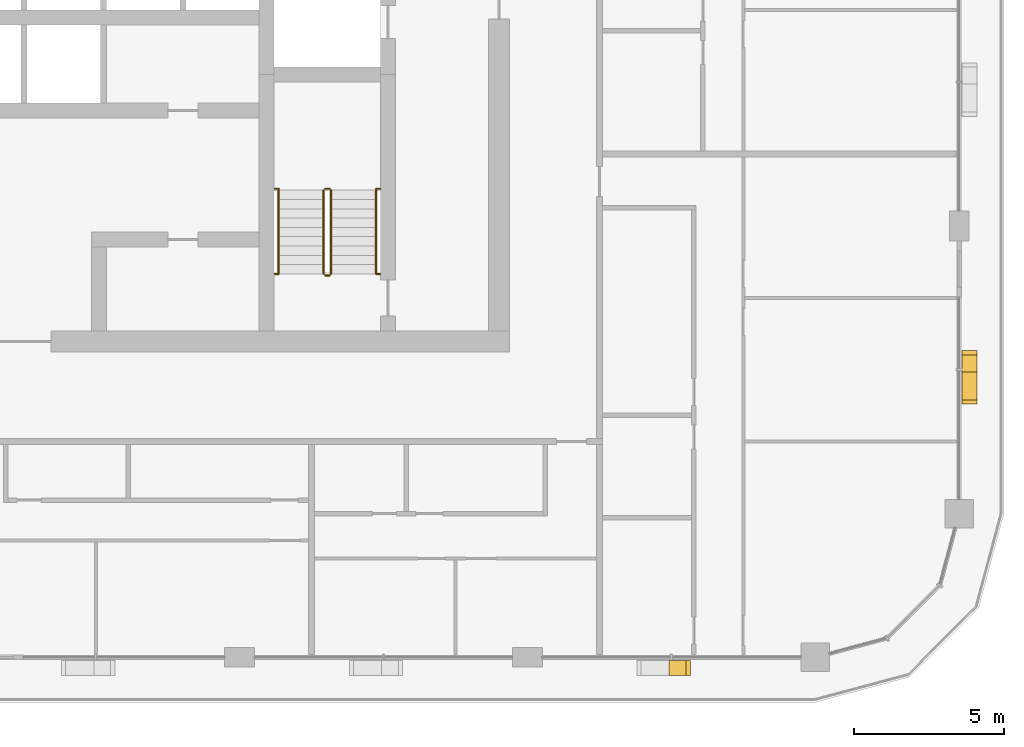
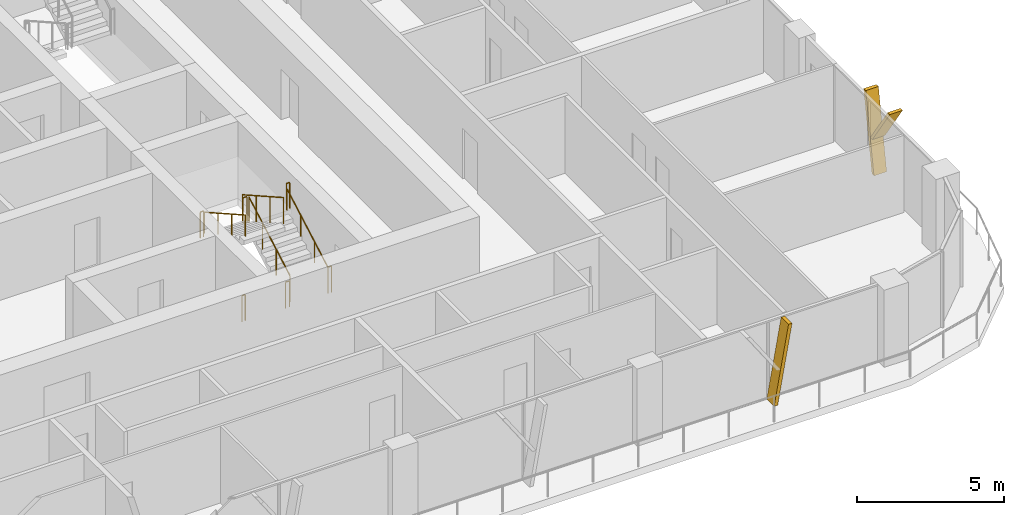
# One storey, part 19 of 22: 10 railings, 3 shading devices.
"""IFC4 building model written with IfcOpenShell, lengths in metres."""

from ifc_helpers import new_model, si_unit, direction, frame, origin, origin_2d, place, context, subcontext, project, spatial, polyline, circle, outline, extrude, material, type_object, element, save


model = new_model("IFC4")

# Units and contexts
model_context = context("Model", 3, precision=1e-05, world=origin(), true_north=direction((0.0, 1.0)))
body_context = subcontext(model_context, "Body", "Model", "MODEL_VIEW")
ifc_project = project(units=[si_unit("LENGTHUNIT", "METRE"), si_unit("AREAUNIT", "SQUARE_METRE"), si_unit("VOLUMEUNIT", "CUBIC_METRE"), si_unit("PLANEANGLEUNIT", "RADIAN"), si_unit("MASSUNIT", "GRAM", prefix="KILO")], contexts=[model_context])

# Site, building, storey
site_placement = place(None, origin())
site = spatial("IfcSite", under=ifc_project, at=site_placement, CompositionType="ELEMENT")
building_placement = place(site_placement, origin())
building = spatial("IfcBuilding", under=site, at=building_placement, Name="Madar Terraces", CompositionType="ELEMENT")
storey_placement = place(building_placement, frame((0.0, 0.0, 208.800048828125)))
storey = spatial("IfcBuildingStorey", under=building, at=storey_placement, Name="L54", CompositionType="ELEMENT", Elevation=208.800048828125)

# Shading devices
ifc_material_1 = material(Name="Aluminium, black anodised", Category="aluminium")
shading_device_type = type_object("IfcShadingDeviceType", Name="Facade fin blade 140 x 500", PredefinedType="USERDEFINED", material=ifc_material_1)
shading_device_1_placement = place(storey_placement, frame((52.72998046875, 4.449951171875, 0.0), z_axis=(0.0, 0.0, 1.0), x_axis=(1.0, 0.0, 0.0)))
element("IfcShadingDevice", 1, at=shading_device_1_placement, inside=storey, type_object=shading_device_type, Name="FIN L54 S5", ObjectType="FIN", PredefinedType="USERDEFINED", context=body_context, shape_type="SweptSolid", body=[
    extrude(outline(polyline([(0.0, 0.0), (0.14013671875, 0.0), (0.704345703125, 3.199951171875), (0.564208984375, 3.199951171875), (0.0, 0.0)])), frame((0.0, 0.25, 0.0), z_axis=(0.0, -1.0, 0.0), x_axis=(1.0, 0.0, 0.0)), (0.0, 0.0, 1.0), 0.5),
])
shading_device_2_placement = place(storey_placement, frame((62.75, 14.330078125, 0.0), z_axis=(0.0, 0.0, 1.0), x_axis=(0.0, 1.0, 0.0)))
element("IfcShadingDevice", 2, at=shading_device_2_placement, inside=storey, type_object=shading_device_type, Name="FIN L54 E1", ObjectType="FIN", PredefinedType="USERDEFINED", context=body_context, shape_type="SweptSolid", body=[
    extrude(outline(polyline([(0.0, 0.0), (0.139892578125, 0.0), (0.704345703125, 3.199951171875), (0.564208984375, 3.199951171875), (0.0, 0.0)])), frame((0.0, 0.25, 0.0), z_axis=(0.0, -1.0, 0.0), x_axis=(1.0, 0.0, 0.0)), (0.0, 0.0, 1.0), 0.5),
])
shading_device_3_placement = place(storey_placement, frame((62.75, 14.44384765625, 1.43994140625), z_axis=(0.0, 0.0, 1.0), x_axis=(0.0, 1.0, 0.0)))
element("IfcShadingDevice", 3, at=shading_device_3_placement, inside=storey, type_object=shading_device_type, Name="FIN L54 E1 branch", ObjectType="FIN", PredefinedType="USERDEFINED", context=body_context, shape_type="SweptSolid", body=[
    extrude(outline(polyline([(0.0, 0.0), (0.14013671875, 0.0), (-1.049560546875, 1.760009765625), (-1.189697265625, 1.760009765625), (0.0, 0.0)])), frame((0.0, 0.25, 0.0), z_axis=(0.0, -1.0, 0.0), x_axis=(1.0, 0.0, 0.0)), (0.0, 0.0, 1.0), 0.5),
])

# Railings
ifc_material_2 = material(Name="Stainless steel railing", Category="steel")
railing_type_1 = type_object("IfcRailingType", Name="Stair guard 1100", PredefinedType="GUARDRAIL", material=ifc_material_2)
railing_1_placement = place(storey_placement, frame((41.449951171875, 17.60009765625, 0.175048828125)))
element("IfcRailing", 4, at=railing_1_placement, inside=storey, type_object=railing_type_1, Name="L54 ST3 stair guard 1", PredefinedType="GUARDRAIL", context=body_context, shape_type="SweptSolid", body=[
    extrude(circle(Radius=0.02392578125, at=origin_2d()), frame((0.0, 0.0, 1.076171875), z_axis=(0.0, 0.870815363784, 0.491610213684), x_axis=(-1.0, 0.0, 0.0)), (0.0, 0.0, 1.0), 3.20361328125),
    extrude(circle(Radius=0.02099609375, at=origin_2d()), origin(), (0.0, 0.0, 1.0), 1.052001953125),
    extrude(circle(Radius=0.02099609375, at=origin_2d()), frame((0.0, 0.929931640625, 0.52490234375)), (0.0, 0.0, 1.0), 1.052001953125),
    extrude(circle(Radius=0.02099609375, at=origin_2d()), frame((0.0, 1.85986328125, 1.050048828125)), (0.0, 0.0, 1.0), 1.052001953125),
    extrude(circle(Radius=0.02099609375, at=origin_2d()), frame((0.0, 2.789794921875, 1.574951171875)), (0.0, 0.0, 1.0), 1.052001953125),
])
railing_2_placement = place(storey_placement, frame((41.39990234375, 20.43994140625, 1.75)))
element("IfcRailing", 5, at=railing_2_placement, inside=storey, type_object=railing_type_1, Name="L54 ST3 stair guard 2", PredefinedType="GUARDRAIL", context=body_context, shape_type="SweptSolid", body=[
    extrude(circle(Radius=0.02392578125, at=origin_2d()), frame((0.0, 0.0, 1.076171875), z_axis=(-1.0, 0.0, 0.0), x_axis=(0.0, -1.0, 0.0)), (0.0, 0.0, 1.0), 0.14990234375),
    extrude(circle(Radius=0.02099609375, at=origin_2d()), origin(), (0.0, 0.0, 1.0), 1.052001953125),
    extrude(circle(Radius=0.02099609375, at=origin_2d()), frame((-0.14990234375, 0.0, 0.0)), (0.0, 0.0, 1.0), 1.052001953125),
])
railing_3_placement = place(storey_placement, frame((41.199951171875, 20.389892578125, 1.925048828125)))
element("IfcRailing", 6, at=railing_3_placement, inside=storey, type_object=railing_type_1, Name="L54 ST3 stair guard 3", PredefinedType="GUARDRAIL", context=body_context, shape_type="SweptSolid", body=[
    extrude(circle(Radius=0.02392578125, at=origin_2d()), frame((0.0, 0.0, 1.076171875), z_axis=(0.0, -0.870815363784, 0.491610213684), x_axis=(1.0, 0.0, 0.0)), (0.0, 0.0, 1.0), 3.20361328125),
    extrude(circle(Radius=0.02099609375, at=origin_2d()), origin(), (0.0, 0.0, 1.0), 1.052001953125),
    extrude(circle(Radius=0.02099609375, at=origin_2d()), frame((0.0, -0.929931640625, 0.52490234375)), (0.0, 0.0, 1.0), 1.052001953125),
    extrude(circle(Radius=0.02099609375, at=origin_2d()), frame((0.0, -1.85986328125, 1.050048828125)), (0.0, 0.0, 1.0), 1.052001953125),
    extrude(circle(Radius=0.02099609375, at=origin_2d()), frame((0.0, -2.789794921875, 1.574951171875)), (0.0, 0.0, 1.0), 1.052001953125),
])
railing_4_placement = place(storey_placement, frame((41.39990234375, 17.550048828125, 0.0)))
element("IfcRailing", 7, at=railing_4_placement, inside=storey, type_object=railing_type_1, Name="L54 ST3 stair guard 4", PredefinedType="GUARDRAIL", context=body_context, shape_type="SweptSolid", body=[
    extrude(circle(Radius=0.02392578125, at=origin_2d()), frame((0.0, 0.0, 1.076171875), z_axis=(-1.0, 0.0, 0.0), x_axis=(0.0, -1.0, 0.0)), (0.0, 0.0, 1.0), 0.14990234375),
    extrude(circle(Radius=0.02099609375, at=origin_2d()), origin(), (0.0, 0.0, 1.0), 1.052001953125),
    extrude(circle(Radius=0.02099609375, at=origin_2d()), frame((-0.14990234375, 0.0, 0.0)), (0.0, 0.0, 1.0), 1.052001953125),
])
railing_5_placement = place(storey_placement, frame((39.570068359375, 20.43994140625, 1.75)))
element("IfcRailing", 8, at=railing_5_placement, inside=storey, type_object=railing_type_1, Name="L54 stair guard seat 1", PredefinedType="GUARDRAIL", context=body_context, shape_type="SweptSolid", body=[
    extrude(circle(Radius=0.02392578125, at=origin_2d()), frame((0.0, 0.0, 1.076171875), z_axis=(1.0, 0.0, 0.0), x_axis=(0.0, 1.0, 0.0)), (0.0, 0.0, 1.0), 0.1298828125),
    extrude(circle(Radius=0.02099609375, at=origin_2d()), origin(), (0.0, 0.0, 1.0), 1.052001953125),
    extrude(circle(Radius=0.02099609375, at=origin_2d()), frame((0.1298828125, 0.0, 0.0)), (0.0, 0.0, 1.0), 1.052001953125),
])
railing_6_placement = place(storey_placement, frame((42.949951171875, 20.43994140625, 1.75)))
element("IfcRailing", 9, at=railing_6_placement, inside=storey, type_object=railing_type_1, Name="L54 stair guard seat 2", PredefinedType="GUARDRAIL", context=body_context, shape_type="SweptSolid", body=[
    extrude(circle(Radius=0.02392578125, at=origin_2d()), frame((0.0, 0.0, 1.076171875), z_axis=(1.0, 0.0, 0.0), x_axis=(0.0, 1.0, 0.0)), (0.0, 0.0, 1.0), 0.130126953125),
    extrude(circle(Radius=0.02099609375, at=origin_2d()), origin(), (0.0, 0.0, 1.0), 1.052001953125),
    extrude(circle(Radius=0.02099609375, at=origin_2d()), frame((0.130126953125, 0.0, 0.0)), (0.0, 0.0, 1.0), 1.052001953125),
])
railing_7_placement = place(storey_placement, frame((39.570068359375, 17.60009765625, 0.0)))
element("IfcRailing", 10, at=railing_7_placement, inside=storey, type_object=railing_type_1, Name="L54 stair guard floor 1", PredefinedType="GUARDRAIL", context=body_context, shape_type="SweptSolid", body=[
    extrude(circle(Radius=0.02392578125, at=origin_2d()), frame((0.0, 0.0, 1.076171875), z_axis=(1.0, 0.0, 0.0), x_axis=(0.0, 1.0, 0.0)), (0.0, 0.0, 1.0), 0.1298828125),
    extrude(circle(Radius=0.02099609375, at=origin_2d()), origin(), (0.0, 0.0, 1.0), 1.052001953125),
    extrude(circle(Radius=0.02099609375, at=origin_2d()), frame((0.1298828125, 0.0, 0.0)), (0.0, 0.0, 1.0), 1.052001953125),
])
railing_8_placement = place(storey_placement, frame((42.949951171875, 17.60009765625, 0.0)))
element("IfcRailing", 11, at=railing_8_placement, inside=storey, type_object=railing_type_1, Name="L54 stair guard floor 2", PredefinedType="GUARDRAIL", context=body_context, shape_type="SweptSolid", body=[
    extrude(circle(Radius=0.02392578125, at=origin_2d()), frame((0.0, 0.0, 1.076171875), z_axis=(1.0, 0.0, 0.0), x_axis=(0.0, 1.0, 0.0)), (0.0, 0.0, 1.0), 0.130126953125),
    extrude(circle(Radius=0.02099609375, at=origin_2d()), origin(), (0.0, 0.0, 1.0), 1.052001953125),
    extrude(circle(Radius=0.02099609375, at=origin_2d()), frame((0.130126953125, 0.0, 0.0)), (0.0, 0.0, 1.0), 1.052001953125),
])
ifc_material_3 = material(Name="Stainless steel railing", Category="steel")
railing_type_2 = type_object("IfcRailingType", Name="Stair handrail 900", PredefinedType="HANDRAIL", material=ifc_material_3)
railing_9_placement = place(storey_placement, frame((42.949951171875, 17.60009765625, 0.175048828125)))
element("IfcRailing", 12, at=railing_9_placement, inside=storey, type_object=railing_type_2, Name="L54 ST3 stair handrail 1", PredefinedType="HANDRAIL", context=body_context, shape_type="SweptSolid", body=[
    extrude(circle(Radius=0.02392578125, at=origin_2d()), frame((0.0, 0.0, 0.8759765625), z_axis=(0.0, 0.870815363784, 0.491610213684), x_axis=(-1.0, 0.0, 0.0)), (0.0, 0.0, 1.0), 3.20361328125),
    extrude(circle(Radius=0.02099609375, at=origin_2d()), origin(), (0.0, 0.0, 1.0), 0.851806640625),
    extrude(circle(Radius=0.02099609375, at=origin_2d()), frame((0.0, 0.929931640625, 0.52490234375)), (0.0, 0.0, 1.0), 0.851806640625),
    extrude(circle(Radius=0.02099609375, at=origin_2d()), frame((0.0, 1.85986328125, 1.050048828125)), (0.0, 0.0, 1.0), 0.851806640625),
    extrude(circle(Radius=0.02099609375, at=origin_2d()), frame((0.0, 2.789794921875, 1.574951171875)), (0.0, 0.0, 1.0), 0.851806640625),
])
railing_10_placement = place(storey_placement, frame((39.699951171875, 20.389892578125, 1.925048828125)))
element("IfcRailing", 13, at=railing_10_placement, inside=storey, type_object=railing_type_2, Name="L54 ST3 stair handrail 2", PredefinedType="HANDRAIL", context=body_context, shape_type="SweptSolid", body=[
    extrude(circle(Radius=0.02392578125, at=origin_2d()), frame((0.0, 0.0, 0.8759765625), z_axis=(0.0, -0.870815363784, 0.491610213684), x_axis=(1.0, 0.0, 0.0)), (0.0, 0.0, 1.0), 3.20361328125),
    extrude(circle(Radius=0.02099609375, at=origin_2d()), origin(), (0.0, 0.0, 1.0), 0.851806640625),
    extrude(circle(Radius=0.02099609375, at=origin_2d()), frame((0.0, -0.929931640625, 0.52490234375)), (0.0, 0.0, 1.0), 0.851806640625),
    extrude(circle(Radius=0.02099609375, at=origin_2d()), frame((0.0, -1.85986328125, 1.050048828125)), (0.0, 0.0, 1.0), 0.851806640625),
    extrude(circle(Radius=0.02099609375, at=origin_2d()), frame((0.0, -2.789794921875, 1.574951171875)), (0.0, 0.0, 1.0), 0.851806640625),
])

save(model, "model.ifc")
